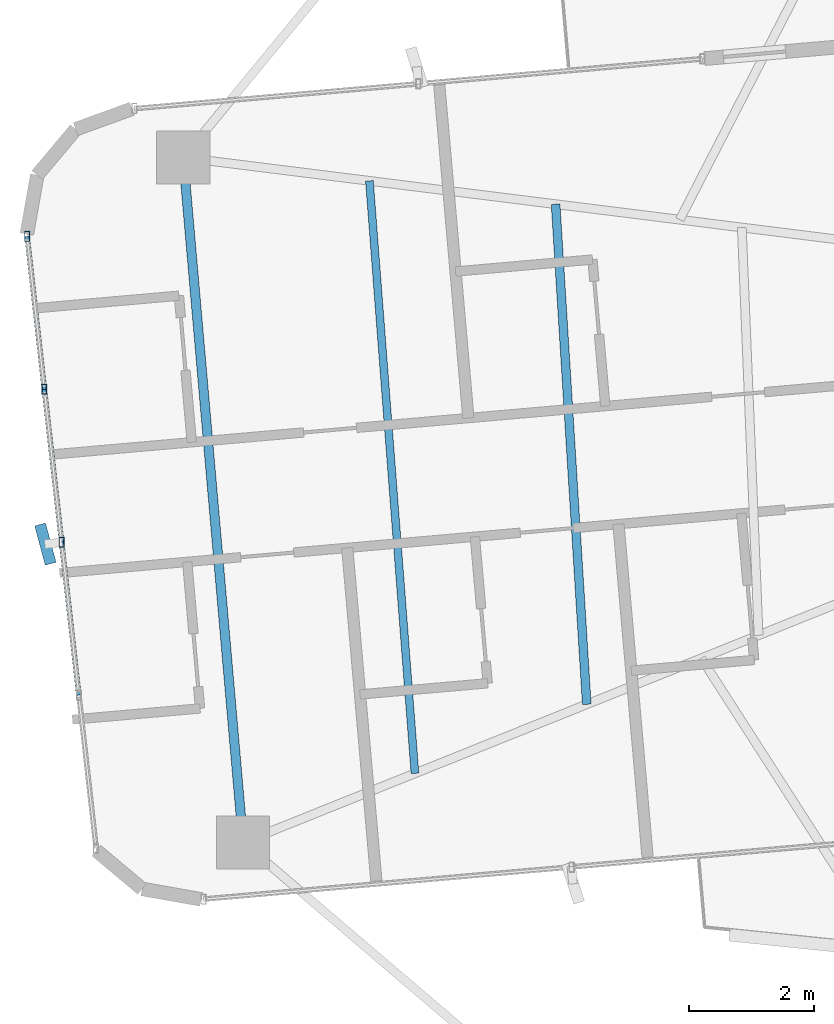
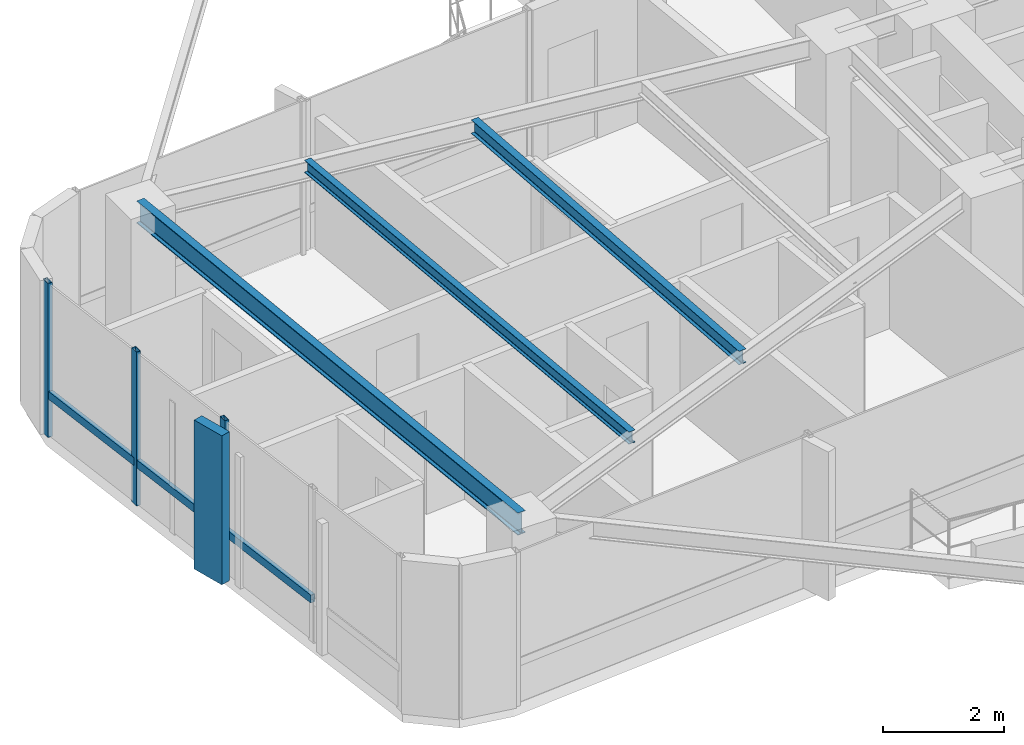
# One storey, part 8 of 24: 7 members, 3 beams, 1 element without a shape of its own.
"""IFC4 building model written with IfcOpenShell, lengths in metres."""

from ifc_helpers import new_model, si_unit, direction, frame, origin, origin_2d, place, context, subcontext, project, spatial, rectangle, hollow_rectangle, i_section, extrude, source, transform, mapped, material, material_profile, profile_set, type_object, element, aggregate, save


model = new_model("IFC4")

# Units and contexts
model_context = context("Model", 3, precision=1e-05, world=origin(), true_north=direction((0.0, 1.0)))
body_context = subcontext(model_context, "Body", "Model", "MODEL_VIEW")
ifc_project = project(units=[si_unit("LENGTHUNIT", "METRE"), si_unit("AREAUNIT", "SQUARE_METRE"), si_unit("VOLUMEUNIT", "CUBIC_METRE"), si_unit("PLANEANGLEUNIT", "RADIAN"), si_unit("MASSUNIT", "GRAM", prefix="KILO")], contexts=[model_context])

# Site, building, storey
site_placement = place(None, origin())
site = spatial("IfcSite", under=ifc_project, at=site_placement, CompositionType="ELEMENT")
building_placement = place(site_placement, origin())
building = spatial("IfcBuilding", under=site, at=building_placement, Name="Sahyath Konkavel Grand Hotel", CompositionType="ELEMENT")
storey_placement = place(building_placement, frame((0.0, 0.0, 153.949951171875)))
storey = spatial("IfcBuildingStorey", under=building, at=storey_placement, Name="L42", CompositionType="ELEMENT", Elevation=153.949951171875)

# Beams
ifc_material_1 = material(Name="Steel E350", Category="steel")
ifc_material_profile_1 = material_profile(ifc_material_1, i_section(OverallWidth=0.14990234375, OverallDepth=0.449951171875, WebThickness=0.009521484375, FlangeThickness=0.017333984375, FilletRadius=0.014892578125, at=origin_2d()), Name="ISMB 450")
ifc_profile_set_1 = profile_set([ifc_material_profile_1], Name="Steel E350")
beam_type_1 = type_object("IfcBeamType", Name="BM-ISMB450", PredefinedType="BEAM", material=ifc_profile_set_1)
shared_shape_1 = source(origin(), body_context, "Body", "SweptSolid", [
    extrude(i_section(OverallWidth=0.14990234375, OverallDepth=0.449951171875, WebThickness=0.009521484375, FlangeThickness=0.017333984375, FilletRadius=0.014892578125, at=origin_2d()), origin(), (0.0, 0.0, 1.0), 11.0),
])
beam_1_placement = place(storey_placement, frame((-17.912841796875, 3.953857421875, 2.885009765625), z_axis=(0.087157314015, -0.996194560622, 0.0), x_axis=(0.996194560622, 0.087157314015, 0.0)))
element("IfcBeam", 1, at=beam_1_placement, inside=storey, type_object=beam_type_1, Name="L42 Wing Tip Edge Beam W", PredefinedType="BEAM", context=body_context, shape_type="MappedRepresentation", body=[
    mapped(shared_shape_1, transform((0.0, 0.0, 0.0), scale=1.0)),
])
ifc_material_profile_2 = material_profile(ifc_material_1, i_section(OverallWidth=0.139892578125, OverallDepth=0.27490234375, WebThickness=0.00634765625, FlangeThickness=0.0087890625, FilletRadius=0.012939453125, at=origin_2d()), Name="ISLB 275")
ifc_profile_set_2 = profile_set([ifc_material_profile_2], Name="Steel E350")
beam_type_2 = type_object("IfcBeamType", Name="BM-ISLB275", PredefinedType="BEAM", material=ifc_profile_set_2)
shared_shape_2 = source(origin(), body_context, "Body", "SweptSolid", [
    extrude(i_section(OverallWidth=0.139892578125, OverallDepth=0.27490234375, WebThickness=0.00634765625, FlangeThickness=0.0087890625, FilletRadius=0.012939453125, at=origin_2d()), origin(), (0.0, 0.0, 1.0), 8.017822265625),
])
beam_2_placement = place(storey_placement, frame((-11.95458984375, 3.2080078125, 2.97265625), z_axis=(0.062179233264, -0.998064999362, 0.0), x_axis=(0.998064999362, 0.062179233264, 0.0)))
element("IfcBeam", 2, at=beam_2_placement, inside=storey, type_object=beam_type_2, Name="L42 Secondary Floor Beam W-2", PredefinedType="BEAM", context=body_context, shape_type="MappedRepresentation", body=[
    mapped(shared_shape_2, transform((0.0, 0.0, 0.0), scale=1.0)),
])
ifc_material_profile_3 = material_profile(ifc_material_1, i_section(OverallWidth=0.125, OverallDepth=0.25, WebThickness=0.0068359375, FlangeThickness=0.012451171875, FilletRadius=0.012939453125, at=origin_2d()), Name="ISMB 250")
ifc_profile_set_3 = profile_set([ifc_material_profile_3], Name="Steel E350")
beam_type_3 = type_object("IfcBeamType", Name="BM-ISMB250", PredefinedType="BEAM", material=ifc_profile_set_3)
shared_shape_3 = source(origin(), body_context, "Body", "SweptSolid", [
    extrude(i_section(OverallWidth=0.125, OverallDepth=0.25, WebThickness=0.0068359375, FlangeThickness=0.012451171875, FilletRadius=0.012939453125, at=origin_2d()), origin(), (0.0, 0.0, 1.0), 9.508056640625),
])
beam_3_placement = place(storey_placement, frame((-14.93359375, 3.580810546875, 2.985107421875), z_axis=(0.076619921029, -0.997060373148, 0.0), x_axis=(0.997060373148, 0.076619921029, 0.0)))
element("IfcBeam", 3, at=beam_3_placement, inside=storey, type_object=beam_type_3, Name="L42 Secondary Floor Beam W-3", PredefinedType="BEAM", context=body_context, shape_type="MappedRepresentation", body=[
    mapped(shared_shape_3, transform((0.0, 0.0, 0.0), scale=1.0)),
])

# Curtain wall, members
ifc_material_2 = material(Name="Anodised Bronze Aluminium & Low-E Glazing", Category="aluminium")
curtain_wall_type = type_object("IfcCurtainWallType", Name="CW-ZONE3", PredefinedType="NOTDEFINED", material=ifc_material_2)
curtain_wall_placement = place(storey_placement, origin())
curtain_wall = element("IfcCurtainWall", 4, at=curtain_wall_placement, inside=storey, type_object=curtain_wall_type, Name="L42 Unitised Curtain Wall F20", PredefinedType="NOTDEFINED")
ifc_material_3 = material(Name="Warm Buff Sandstone Cladding on Concrete C50/60", Category="masonry")
ifc_material_profile_4 = material_profile(ifc_material_3, rectangle(XDim=0.179931640625, YDim=0.64990234375, at=origin_2d()), Name="FIN 180x650")
ifc_profile_set_4 = profile_set([ifc_material_profile_4], Name="Warm Buff Sandstone Cladding on Concrete C50/60")
member_type_1 = type_object("IfcMemberType", Name="FIN-SANDSTONE-650", PredefinedType="MULLION", material=ifc_profile_set_4)
shared_shape_4 = source(origin(), body_context, "Body", "SweptSolid", [
    extrude(rectangle(XDim=0.179931640625, YDim=0.64990234375, at=origin_2d()), origin(), (0.0, 0.0, 1.0), 3.010009765625),
])
member_1_placement = place(storey_placement, frame((-20.1181640625, -2.23095703125, 0.050048828125), z_axis=(0.0, 0.0, 1.0), x_axis=(0.965744901133, 0.259493325415, 0.0)))
member_1 = element("IfcMember", 5, at=member_1_placement, type_object=member_type_1, Name="L42 Sandstone Vertical Solar Fin FIN F20-2", PredefinedType="MULLION", context=body_context, shape_type="MappedRepresentation", body=[
    mapped(shared_shape_4, transform((0.0, 0.0, 0.0), scale=1.0)),
])
ifc_material_4 = material(Name="Anodised Bronze Aluminium", Category="aluminium")
ifc_material_profile_5 = material_profile(ifc_material_4, hollow_rectangle(XDim=0.080078125, YDim=0.159912109375, WallThickness=0.006103515625, at=origin_2d()), Name="RHS 160x80x6")
ifc_profile_set_5 = profile_set([ifc_material_profile_5], Name="Anodised Bronze Aluminium")
member_type_2 = type_object("IfcMemberType", Name="CW-MUL-160", PredefinedType="MULLION", material=ifc_profile_set_5)
shared_shape_5 = source(origin(), body_context, "Body", "SweptSolid", [
    extrude(hollow_rectangle(XDim=0.080078125, YDim=0.159912109375, WallThickness=0.006103515625, at=origin_2d()), origin(), (0.0, 0.0, 1.0), 3.110107421875),
])
member_2_placement = place(storey_placement, frame((-20.4111328125, 2.69140625, 0.0), z_axis=(0.0, 0.0, 1.0), x_axis=(1.0, 0.0, 0.0)))
member_2 = element("IfcMember", 6, at=member_2_placement, type_object=member_type_2, Name="L42 Curtain Wall Mullion F20-0", PredefinedType="MULLION", context=body_context, shape_type="MappedRepresentation", body=[
    mapped(shared_shape_5, transform((0.0, 0.0, 0.0), scale=1.0)),
])
member_3_placement = place(storey_placement, frame((-20.135498046875, 0.24462890625, 0.0), z_axis=(0.0, 0.0, 1.0), x_axis=(1.0, 0.0, 0.0)))
member_3 = element("IfcMember", 7, at=member_3_placement, type_object=member_type_2, Name="L42 Curtain Wall Mullion F20-1", PredefinedType="MULLION", context=body_context, shape_type="MappedRepresentation", body=[
    mapped(shared_shape_5, transform((0.0, 0.0, 0.0), scale=1.0)),
])
member_4_placement = place(storey_placement, frame((-19.859619140625, -2.201904296875, 0.0), z_axis=(0.0, 0.0, 1.0), x_axis=(1.0, 0.0, 0.0)))
member_4 = element("IfcMember", 8, at=member_4_placement, type_object=member_type_2, Name="L42 Curtain Wall Mullion F20-2", PredefinedType="MULLION", context=body_context, shape_type="MappedRepresentation", body=[
    mapped(shared_shape_5, transform((0.0, 0.0, 0.0), scale=1.0)),
])
ifc_material_profile_6 = material_profile(ifc_material_4, hollow_rectangle(XDim=0.080078125, YDim=0.159912109375, WallThickness=0.006103515625, at=origin_2d()), Name="RHS 160x80x6")
ifc_profile_set_6 = profile_set([ifc_material_profile_6], Name="Anodised Bronze Aluminium")
member_type_3 = type_object("IfcMemberType", Name="CW-TRN-160", PredefinedType="USERDEFINED", material=ifc_profile_set_6)
shared_shape_6 = source(origin(), body_context, "Body", "SweptSolid", [
    extrude(hollow_rectangle(XDim=0.080078125, YDim=0.159912109375, WallThickness=0.006103515625, at=origin_2d()), origin(), (0.0, 0.0, 1.0), 2.462158203125),
])
member_5_placement = place(storey_placement, frame((-20.4111328125, 2.69140625, 0.85009765625), z_axis=(0.11194409079, -0.993714506555, 0.0), x_axis=(0.993714506555, 0.11194409079, 0.0)))
member_5 = element("IfcMember", 9, at=member_5_placement, type_object=member_type_3, Name="L42 Curtain Wall Transom F20-0-spandrel", ObjectType="TRANSOM", PredefinedType="USERDEFINED", context=body_context, shape_type="MappedRepresentation", body=[
    mapped(shared_shape_6, transform((0.0, 0.0, 0.0), scale=1.0)),
])
member_6_placement = place(storey_placement, frame((-20.135498046875, 0.24462890625, 0.85009765625), z_axis=(0.112053040279, -0.99370222711, 0.0), x_axis=(0.99370222711, 0.112053040279, 0.0)))
member_6 = element("IfcMember", 10, at=member_6_placement, type_object=member_type_3, Name="L42 Curtain Wall Transom F20-1-spandrel", ObjectType="TRANSOM", PredefinedType="USERDEFINED", context=body_context, shape_type="MappedRepresentation", body=[
    mapped(shared_shape_6, transform((0.0, 0.0, 0.0), scale=1.0)),
])
shared_shape_7 = source(origin(), body_context, "Body", "SweptSolid", [
    extrude(hollow_rectangle(XDim=0.080078125, YDim=0.159912109375, WallThickness=0.006103515625, at=origin_2d()), origin(), (0.0, 0.0, 1.0), 2.461669921875),
])
member_7_placement = place(storey_placement, frame((-19.859619140625, -2.201904296875, 0.85009765625), z_axis=(0.111966154832, -0.993712020744, 0.0), x_axis=(0.993712020744, 0.111966154832, 0.0)))
member_7 = element("IfcMember", 11, at=member_7_placement, type_object=member_type_3, Name="L42 Curtain Wall Transom F20-2-spandrel", ObjectType="TRANSOM", PredefinedType="USERDEFINED", context=body_context, shape_type="MappedRepresentation", body=[
    mapped(shared_shape_7, transform((0.0, 0.0, 0.0), scale=1.0)),
])
aggregate(curtain_wall, [member_2, member_3, member_4, member_1, member_5, member_6, member_7])

save(model, "model.ifc")
